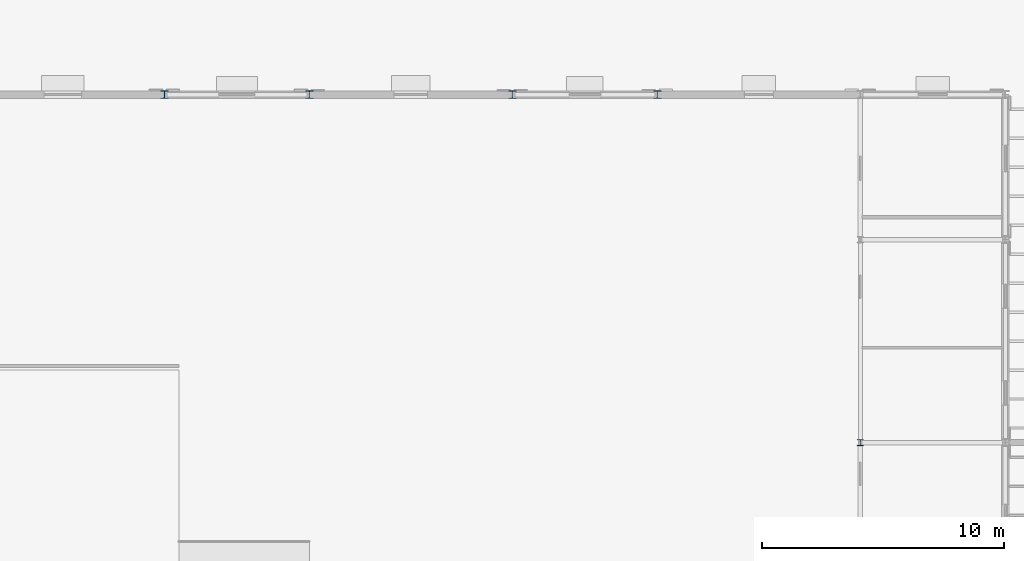
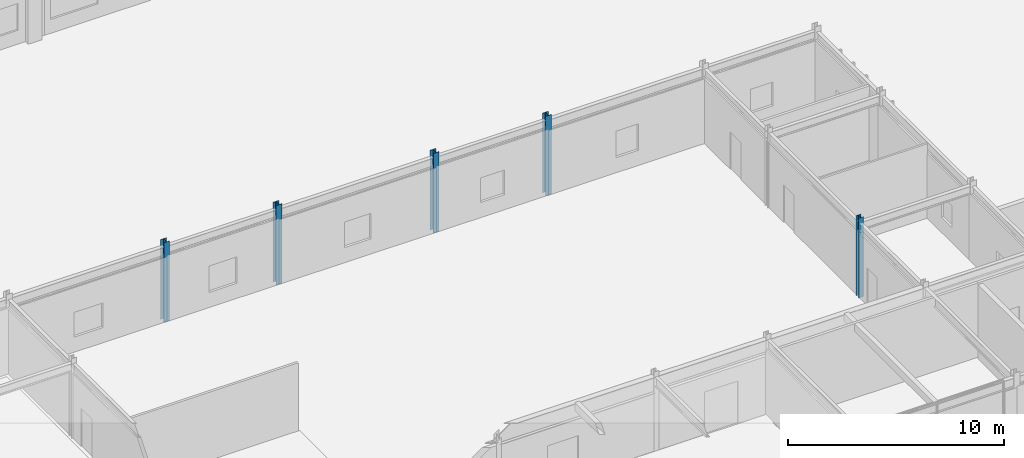
# One storey, part 8 of 67: 5 columns.
"""IFC4 building model written with IfcOpenShell, lengths in metres."""

from ifc_helpers import new_model, si_unit, direction, frame, origin, origin_2d, place, context, subcontext, project, spatial, i_section, extrude, material, material_profile, profile_set, type_object, element, save


model = new_model("IFC4")

# Units and contexts
model_context = context("Model", 3, precision=1e-05, world=origin(), true_north=direction((0.0, 1.0)))
body_context = subcontext(model_context, "Body", "Model", "MODEL_VIEW")
ifc_project = project(units=[si_unit("LENGTHUNIT", "METRE"), si_unit("AREAUNIT", "SQUARE_METRE"), si_unit("VOLUMEUNIT", "CUBIC_METRE"), si_unit("PLANEANGLEUNIT", "RADIAN"), si_unit("MASSUNIT", "GRAM", prefix="KILO"), si_unit("THERMODYNAMICTEMPERATUREUNIT", "KELVIN")], contexts=[model_context])

# Site, building, storey
site_placement = place(None, origin())
site = spatial("IfcSite", under=ifc_project, at=site_placement, CompositionType="ELEMENT")
building_placement = place(site_placement, origin())
building = spatial("IfcBuilding", under=site, at=building_placement, Name="Thalorik Housing Commons", CompositionType="ELEMENT")
storey_placement = place(building_placement, origin())
storey = spatial("IfcBuildingStorey", under=building, at=storey_placement, Name="L00", CompositionType="ELEMENT", Elevation=0.0)

# Columns
ifc_material = material(Name="Steel S355", Category="steel")
ifc_material_profile_1 = material_profile(ifc_material, i_section(OverallWidth=0.260009765625, OverallDepth=0.25390625, WebThickness=0.014404296875, FlangeThickness=0.014404296875, FilletRadius=0.010009765625, at=origin_2d()), Name="HP250x85", Category="steel")
ifc_profile_set_1 = profile_set([ifc_material_profile_1], Name="Steel S355")
column_type_1 = type_object("IfcColumnType", Name="STR-COL-HP250", PredefinedType="COLUMN", material=ifc_profile_set_1)
column_placement = place(storey_placement, frame((109.199951171875, 72.0, 0.0), z_axis=(0.0, 0.0, 1.0), x_axis=(1.0, 0.0, 0.0)))
element("IfcColumn", 1, at=column_placement, inside=storey, type_object=column_type_1, Name="L00 Column SC-250", PredefinedType="COLUMN", context=body_context, shape_type="SweptSolid", body=[
    extrude(i_section(OverallWidth=0.260009765625, OverallDepth=0.25390625, WebThickness=0.014404296875, FlangeThickness=0.014404296875, FilletRadius=0.010009765625, at=origin_2d()), origin(), (0.0, 0.0, 1.0), 4.5),
])
ifc_material_profile_2 = material_profile(ifc_material, i_section(OverallWidth=0.31005859375, OverallDepth=0.30810546875, WebThickness=0.015380859375, FlangeThickness=0.015380859375, FilletRadius=0.011962890625, at=origin_2d()), Name="HP310x110", Category="steel")
ifc_profile_set_2 = profile_set([ifc_material_profile_2], Name="Steel S355")
column_type_2 = type_object("IfcColumnType", Name="STR-COL-HP310", PredefinedType="COLUMN", material=ifc_profile_set_2)
for number, where, z_axis, x_axis, name in (
    (2, (80.39990234375, 86.39990234375, 0.0), (0.0, 0.0, 1.0), (1.0, 0.0, 0.0), "L00 Column SC-310"),
    (3, (86.39990234375, 86.39990234375, 0.0), (0.0, 0.0, 1.0), (1.0, 0.0, 0.0), "L00 Column SC-310"),
    (4, (94.800048828125, 86.39990234375, 0.0), (0.0, 0.0, 1.0), (1.0, 0.0, 0.0), "L00 Column SC-310"),
    (5, (100.800048828125, 86.39990234375, 0.0), (0.0, 0.0, 1.0), (1.0, 0.0, 0.0), "L00 Column SC-310"),
):
    element("IfcColumn", number, at=place(storey_placement, frame(where, z_axis=z_axis, x_axis=x_axis)), inside=storey, type_object=column_type_2, Name=name, PredefinedType="COLUMN", context=body_context, shape_type="SweptSolid", body=[
        extrude(i_section(OverallWidth=0.31005859375, OverallDepth=0.30810546875, WebThickness=0.015380859375, FlangeThickness=0.015380859375, FilletRadius=0.011962890625, at=origin_2d()), origin(), (0.0, 0.0, 1.0), 4.5),
    ])

save(model, "model.ifc")
